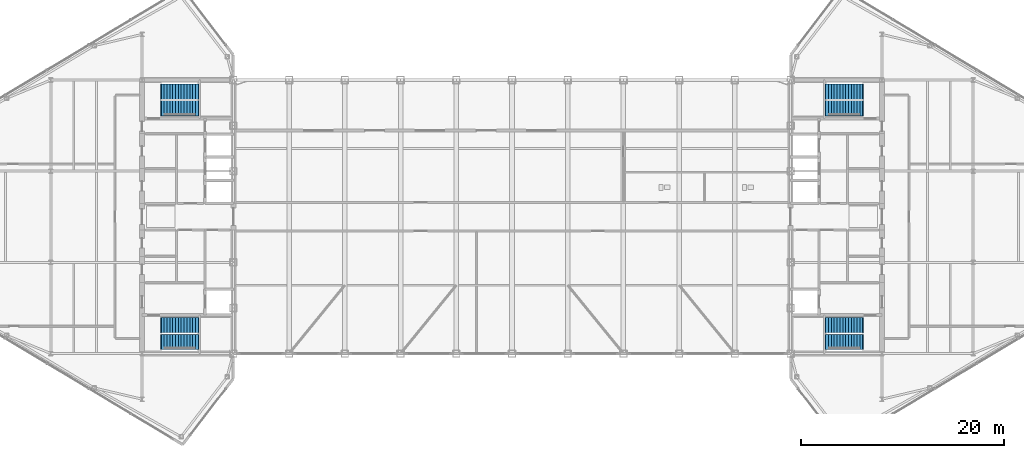
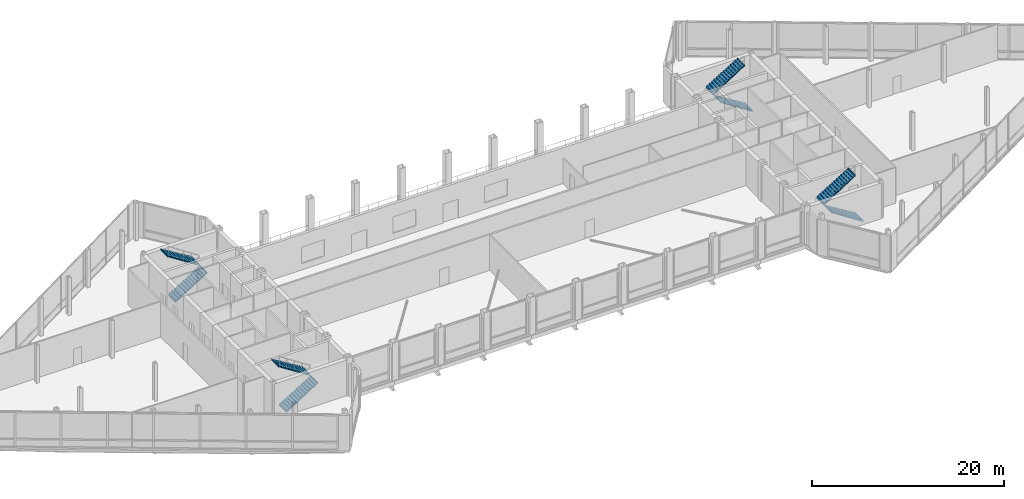
# One storey, part 26 of 28: 8 stair flights, 4 elements without a shape of their own.
"""IFC4 building model written with IfcOpenShell, lengths in metres."""

from ifc_helpers import new_model, si_unit, direction, frame, origin, place, context, subcontext, project, spatial, polyline, outline, extrude, material, type_object, element, aggregate, save


model = new_model("IFC4")

# Units and contexts
model_context = context("Model", 3, precision=1e-05, world=origin(), true_north=direction((0.0, 1.0)))
body_context = subcontext(model_context, "Body", "Model", "MODEL_VIEW")
ifc_project = project(units=[si_unit("LENGTHUNIT", "METRE"), si_unit("AREAUNIT", "SQUARE_METRE"), si_unit("VOLUMEUNIT", "CUBIC_METRE"), si_unit("PLANEANGLEUNIT", "RADIAN"), si_unit("MASSUNIT", "GRAM", prefix="KILO")], contexts=[model_context])

# Site, building, storey
site_placement = place(None, origin())
site = spatial("IfcSite", under=ifc_project, at=site_placement, CompositionType="ELEMENT")
building_placement = place(site_placement, origin())
building = spatial("IfcBuilding", under=site, at=building_placement, Name="Seokmaru Belvedere", CompositionType="ELEMENT")
storey_placement = place(building_placement, frame((0.0, 0.0, 274.199951171875)))
storey = spatial("IfcBuildingStorey", under=building, at=storey_placement, Name="L72", CompositionType="ELEMENT", Elevation=274.199951171875)

# Stair, stair flights
ifc_material = material(Name="Concrete C40 (40 MPa)", Category="concrete")
stair_type = type_object("IfcStairType", Name="Basement Core Dog-Leg Stair 4800", PredefinedType="TWO_STRAIGHT_RUN_STAIR", material=ifc_material)
stair_1_placement = place(storey_placement, origin())
stair_1 = element("IfcStair", 1, at=stair_1_placement, inside=storey, type_object=stair_type, Name="L72 Special Escape Stair ST-W1", PredefinedType="TWO_STRAIGHT_RUN_STAIR")
stair_flight_type = type_object("IfcStairFlightType", Name="Reinforced Concrete Stair Flight 1500", PredefinedType="STRAIGHT", material=ifc_material)
stair_flight_1_placement = place(storey_placement, frame((-34.60009765625, -12.35009765625, 0.0), z_axis=(0.0, 0.0, 1.0), x_axis=(1.0, 0.0, 0.0)))
stair_flight_1 = element("IfcStairFlight", 2, at=stair_flight_1_placement, type_object=stair_flight_type, Name="ST-W1 flight 1", NumberOfRisers=14, NumberOfTreads=13, PredefinedType="STRAIGHT", RiserHeight=0.171428571, TreadLength=0.28, context=body_context, shape_type="SweptSolid", body=[
    extrude(outline(polyline([(-0.080078125, 0.0), (0.0, 0.17138671875), (0.280029296875, 0.17138671875), (0.280029296875, 0.3427734375), (0.56005859375, 0.3427734375), (0.56005859375, 0.514404296875), (0.840087890625, 0.514404296875), (0.840087890625, 0.685791015625), (1.1201171875, 0.685791015625), (1.1201171875, 0.857177734375), (1.39990234375, 0.857177734375), (1.39990234375, 1.028564453125), (1.679931640625, 1.028564453125), (1.679931640625, 1.199951171875), (1.9599609375, 1.199951171875), (1.9599609375, 1.371337890625), (2.239990234375, 1.371337890625), (2.239990234375, 1.54296875), (2.52001953125, 1.54296875), (2.52001953125, 1.71435546875), (2.800048828125, 1.71435546875), (2.800048828125, 1.8857421875), (3.080078125, 1.8857421875), (3.080078125, 2.05712890625), (3.360107421875, 2.05712890625), (3.360107421875, 2.228515625), (3.639892578125, 2.228515625), (3.639892578125, 2.39990234375), (3.719970703125, 2.39990234375), (3.719970703125, 2.2099609375), (3.639892578125, 2.2099609375), (0.0, -0.159912109375), (-0.080078125, -0.159912109375), (-0.080078125, 0.0)])), frame((0.0, 0.75, 0.0), z_axis=(0.0, -1.0, 0.0), x_axis=(1.0, 0.0, 0.0)), (0.0, 0.0, 1.0), 1.5),
])
stair_flight_2_placement = place(storey_placement, frame((-30.9599609375, -10.7099609375, 2.400146484375), z_axis=(0.0, 0.0, 1.0), x_axis=(-1.0, 0.0, 0.0)))
stair_flight_2 = element("IfcStairFlight", 3, at=stair_flight_2_placement, type_object=stair_flight_type, Name="ST-W1 flight 2", NumberOfRisers=14, NumberOfTreads=13, PredefinedType="STRAIGHT", RiserHeight=0.171428571, TreadLength=0.28, context=body_context, shape_type="SweptSolid", body=[
    extrude(outline(polyline([(-0.080078125, 0.0), (0.0, 0.17138671875), (0.280029296875, 0.17138671875), (0.280029296875, 0.3427734375), (0.56005859375, 0.3427734375), (0.56005859375, 0.514404296875), (0.840087890625, 0.514404296875), (0.840087890625, 0.685791015625), (1.1201171875, 0.685791015625), (1.1201171875, 0.857177734375), (1.39990234375, 0.857177734375), (1.39990234375, 1.028564453125), (1.679931640625, 1.028564453125), (1.679931640625, 1.199951171875), (1.9599609375, 1.199951171875), (1.9599609375, 1.371337890625), (2.239990234375, 1.371337890625), (2.239990234375, 1.54296875), (2.52001953125, 1.54296875), (2.52001953125, 1.71435546875), (2.800048828125, 1.71435546875), (2.800048828125, 1.8857421875), (3.080078125, 1.8857421875), (3.080078125, 2.05712890625), (3.360107421875, 2.05712890625), (3.360107421875, 2.228515625), (3.639892578125, 2.228515625), (3.639892578125, 2.39990234375), (3.719970703125, 2.39990234375), (3.719970703125, 2.2099609375), (3.639892578125, 2.2099609375), (0.0, -0.159912109375), (-0.080078125, -0.159912109375), (-0.080078125, 0.0)])), frame((0.0, 0.75, 0.0), z_axis=(0.0, -1.0, 0.0), x_axis=(1.0, 0.0, 0.0)), (0.0, 0.0, 1.0), 1.5),
])
aggregate(stair_1, [stair_flight_1, stair_flight_2])

stair_2_placement = place(storey_placement, origin())
stair_2 = element("IfcStair", 4, at=stair_2_placement, inside=storey, type_object=stair_type, Name="L72 Special Escape Stair ST-W2", PredefinedType="TWO_STRAIGHT_RUN_STAIR")
stair_flight_3_placement = place(storey_placement, frame((-34.60009765625, 10.7099609375, 0.0), z_axis=(0.0, 0.0, 1.0), x_axis=(1.0, 0.0, 0.0)))
stair_flight_3 = element("IfcStairFlight", 5, at=stair_flight_3_placement, type_object=stair_flight_type, Name="ST-W2 flight 1", NumberOfRisers=14, NumberOfTreads=13, PredefinedType="STRAIGHT", RiserHeight=0.171428571, TreadLength=0.28, context=body_context, shape_type="SweptSolid", body=[
    extrude(outline(polyline([(-0.080078125, 0.0), (0.0, 0.17138671875), (0.280029296875, 0.17138671875), (0.280029296875, 0.3427734375), (0.56005859375, 0.3427734375), (0.56005859375, 0.514404296875), (0.840087890625, 0.514404296875), (0.840087890625, 0.685791015625), (1.1201171875, 0.685791015625), (1.1201171875, 0.857177734375), (1.39990234375, 0.857177734375), (1.39990234375, 1.028564453125), (1.679931640625, 1.028564453125), (1.679931640625, 1.199951171875), (1.9599609375, 1.199951171875), (1.9599609375, 1.371337890625), (2.239990234375, 1.371337890625), (2.239990234375, 1.54296875), (2.52001953125, 1.54296875), (2.52001953125, 1.71435546875), (2.800048828125, 1.71435546875), (2.800048828125, 1.8857421875), (3.080078125, 1.8857421875), (3.080078125, 2.05712890625), (3.360107421875, 2.05712890625), (3.360107421875, 2.228515625), (3.639892578125, 2.228515625), (3.639892578125, 2.39990234375), (3.719970703125, 2.39990234375), (3.719970703125, 2.2099609375), (3.639892578125, 2.2099609375), (0.0, -0.159912109375), (-0.080078125, -0.159912109375), (-0.080078125, 0.0)])), frame((0.0, 0.75, 0.0), z_axis=(0.0, -1.0, 0.0), x_axis=(1.0, 0.0, 0.0)), (0.0, 0.0, 1.0), 1.5),
])
stair_flight_4_placement = place(storey_placement, frame((-30.9599609375, 12.35009765625, 2.400146484375), z_axis=(0.0, 0.0, 1.0), x_axis=(-1.0, 0.0, 0.0)))
stair_flight_4 = element("IfcStairFlight", 6, at=stair_flight_4_placement, type_object=stair_flight_type, Name="ST-W2 flight 2", NumberOfRisers=14, NumberOfTreads=13, PredefinedType="STRAIGHT", RiserHeight=0.171428571, TreadLength=0.28, context=body_context, shape_type="SweptSolid", body=[
    extrude(outline(polyline([(-0.080078125, 0.0), (0.0, 0.17138671875), (0.280029296875, 0.17138671875), (0.280029296875, 0.3427734375), (0.56005859375, 0.3427734375), (0.56005859375, 0.514404296875), (0.840087890625, 0.514404296875), (0.840087890625, 0.685791015625), (1.1201171875, 0.685791015625), (1.1201171875, 0.857177734375), (1.39990234375, 0.857177734375), (1.39990234375, 1.028564453125), (1.679931640625, 1.028564453125), (1.679931640625, 1.199951171875), (1.9599609375, 1.199951171875), (1.9599609375, 1.371337890625), (2.239990234375, 1.371337890625), (2.239990234375, 1.54296875), (2.52001953125, 1.54296875), (2.52001953125, 1.71435546875), (2.800048828125, 1.71435546875), (2.800048828125, 1.8857421875), (3.080078125, 1.8857421875), (3.080078125, 2.05712890625), (3.360107421875, 2.05712890625), (3.360107421875, 2.228515625), (3.639892578125, 2.228515625), (3.639892578125, 2.39990234375), (3.719970703125, 2.39990234375), (3.719970703125, 2.2099609375), (3.639892578125, 2.2099609375), (0.0, -0.159912109375), (-0.080078125, -0.159912109375), (-0.080078125, 0.0)])), frame((0.0, 0.75, 0.0), z_axis=(0.0, -1.0, 0.0), x_axis=(1.0, 0.0, 0.0)), (0.0, 0.0, 1.0), 1.5),
])
aggregate(stair_2, [stair_flight_3, stair_flight_4])

stair_3_placement = place(storey_placement, origin())
stair_3 = element("IfcStair", 7, at=stair_3_placement, inside=storey, type_object=stair_type, Name="L72 Special Escape Stair ST-E1", PredefinedType="TWO_STRAIGHT_RUN_STAIR")
stair_flight_5_placement = place(storey_placement, frame((34.60009765625, -12.35009765625, 0.0), z_axis=(0.0, 0.0, 1.0), x_axis=(-1.0, 0.0, 0.0)))
stair_flight_5 = element("IfcStairFlight", 8, at=stair_flight_5_placement, type_object=stair_flight_type, Name="ST-E1 flight 1", NumberOfRisers=14, NumberOfTreads=13, PredefinedType="STRAIGHT", RiserHeight=0.171428571, TreadLength=0.28, context=body_context, shape_type="SweptSolid", body=[
    extrude(outline(polyline([(-0.080078125, 0.0), (0.0, 0.17138671875), (0.280029296875, 0.17138671875), (0.280029296875, 0.3427734375), (0.56005859375, 0.3427734375), (0.56005859375, 0.514404296875), (0.840087890625, 0.514404296875), (0.840087890625, 0.685791015625), (1.1201171875, 0.685791015625), (1.1201171875, 0.857177734375), (1.39990234375, 0.857177734375), (1.39990234375, 1.028564453125), (1.679931640625, 1.028564453125), (1.679931640625, 1.199951171875), (1.9599609375, 1.199951171875), (1.9599609375, 1.371337890625), (2.239990234375, 1.371337890625), (2.239990234375, 1.54296875), (2.52001953125, 1.54296875), (2.52001953125, 1.71435546875), (2.800048828125, 1.71435546875), (2.800048828125, 1.8857421875), (3.080078125, 1.8857421875), (3.080078125, 2.05712890625), (3.360107421875, 2.05712890625), (3.360107421875, 2.228515625), (3.639892578125, 2.228515625), (3.639892578125, 2.39990234375), (3.719970703125, 2.39990234375), (3.719970703125, 2.2099609375), (3.639892578125, 2.2099609375), (0.0, -0.159912109375), (-0.080078125, -0.159912109375), (-0.080078125, 0.0)])), frame((0.0, 0.75, 0.0), z_axis=(0.0, -1.0, 0.0), x_axis=(1.0, 0.0, 0.0)), (0.0, 0.0, 1.0), 1.5),
])
stair_flight_6_placement = place(storey_placement, frame((30.9599609375, -10.7099609375, 2.400146484375), z_axis=(0.0, 0.0, 1.0), x_axis=(1.0, 0.0, 0.0)))
stair_flight_6 = element("IfcStairFlight", 9, at=stair_flight_6_placement, type_object=stair_flight_type, Name="ST-E1 flight 2", NumberOfRisers=14, NumberOfTreads=13, PredefinedType="STRAIGHT", RiserHeight=0.171428571, TreadLength=0.28, context=body_context, shape_type="SweptSolid", body=[
    extrude(outline(polyline([(-0.080078125, 0.0), (0.0, 0.17138671875), (0.280029296875, 0.17138671875), (0.280029296875, 0.3427734375), (0.56005859375, 0.3427734375), (0.56005859375, 0.514404296875), (0.840087890625, 0.514404296875), (0.840087890625, 0.685791015625), (1.1201171875, 0.685791015625), (1.1201171875, 0.857177734375), (1.39990234375, 0.857177734375), (1.39990234375, 1.028564453125), (1.679931640625, 1.028564453125), (1.679931640625, 1.199951171875), (1.9599609375, 1.199951171875), (1.9599609375, 1.371337890625), (2.239990234375, 1.371337890625), (2.239990234375, 1.54296875), (2.52001953125, 1.54296875), (2.52001953125, 1.71435546875), (2.800048828125, 1.71435546875), (2.800048828125, 1.8857421875), (3.080078125, 1.8857421875), (3.080078125, 2.05712890625), (3.360107421875, 2.05712890625), (3.360107421875, 2.228515625), (3.639892578125, 2.228515625), (3.639892578125, 2.39990234375), (3.719970703125, 2.39990234375), (3.719970703125, 2.2099609375), (3.639892578125, 2.2099609375), (0.0, -0.159912109375), (-0.080078125, -0.159912109375), (-0.080078125, 0.0)])), frame((0.0, 0.75, 0.0), z_axis=(0.0, -1.0, 0.0), x_axis=(1.0, 0.0, 0.0)), (0.0, 0.0, 1.0), 1.5),
])
aggregate(stair_3, [stair_flight_5, stair_flight_6])

stair_4_placement = place(storey_placement, origin())
stair_4 = element("IfcStair", 10, at=stair_4_placement, inside=storey, type_object=stair_type, Name="L72 Special Escape Stair ST-E2", PredefinedType="TWO_STRAIGHT_RUN_STAIR")
stair_flight_7_placement = place(storey_placement, frame((34.60009765625, 10.7099609375, 0.0), z_axis=(0.0, 0.0, 1.0), x_axis=(-1.0, 0.0, 0.0)))
stair_flight_7 = element("IfcStairFlight", 11, at=stair_flight_7_placement, type_object=stair_flight_type, Name="ST-E2 flight 1", NumberOfRisers=14, NumberOfTreads=13, PredefinedType="STRAIGHT", RiserHeight=0.171428571, TreadLength=0.28, context=body_context, shape_type="SweptSolid", body=[
    extrude(outline(polyline([(-0.080078125, 0.0), (0.0, 0.17138671875), (0.280029296875, 0.17138671875), (0.280029296875, 0.3427734375), (0.56005859375, 0.3427734375), (0.56005859375, 0.514404296875), (0.840087890625, 0.514404296875), (0.840087890625, 0.685791015625), (1.1201171875, 0.685791015625), (1.1201171875, 0.857177734375), (1.39990234375, 0.857177734375), (1.39990234375, 1.028564453125), (1.679931640625, 1.028564453125), (1.679931640625, 1.199951171875), (1.9599609375, 1.199951171875), (1.9599609375, 1.371337890625), (2.239990234375, 1.371337890625), (2.239990234375, 1.54296875), (2.52001953125, 1.54296875), (2.52001953125, 1.71435546875), (2.800048828125, 1.71435546875), (2.800048828125, 1.8857421875), (3.080078125, 1.8857421875), (3.080078125, 2.05712890625), (3.360107421875, 2.05712890625), (3.360107421875, 2.228515625), (3.639892578125, 2.228515625), (3.639892578125, 2.39990234375), (3.719970703125, 2.39990234375), (3.719970703125, 2.2099609375), (3.639892578125, 2.2099609375), (0.0, -0.159912109375), (-0.080078125, -0.159912109375), (-0.080078125, 0.0)])), frame((0.0, 0.75, 0.0), z_axis=(0.0, -1.0, 0.0), x_axis=(1.0, 0.0, 0.0)), (0.0, 0.0, 1.0), 1.5),
])
stair_flight_8_placement = place(storey_placement, frame((30.9599609375, 12.35009765625, 2.400146484375), z_axis=(0.0, 0.0, 1.0), x_axis=(1.0, 0.0, 0.0)))
stair_flight_8 = element("IfcStairFlight", 12, at=stair_flight_8_placement, type_object=stair_flight_type, Name="ST-E2 flight 2", NumberOfRisers=14, NumberOfTreads=13, PredefinedType="STRAIGHT", RiserHeight=0.171428571, TreadLength=0.28, context=body_context, shape_type="SweptSolid", body=[
    extrude(outline(polyline([(-0.080078125, 0.0), (0.0, 0.17138671875), (0.280029296875, 0.17138671875), (0.280029296875, 0.3427734375), (0.56005859375, 0.3427734375), (0.56005859375, 0.514404296875), (0.840087890625, 0.514404296875), (0.840087890625, 0.685791015625), (1.1201171875, 0.685791015625), (1.1201171875, 0.857177734375), (1.39990234375, 0.857177734375), (1.39990234375, 1.028564453125), (1.679931640625, 1.028564453125), (1.679931640625, 1.199951171875), (1.9599609375, 1.199951171875), (1.9599609375, 1.371337890625), (2.239990234375, 1.371337890625), (2.239990234375, 1.54296875), (2.52001953125, 1.54296875), (2.52001953125, 1.71435546875), (2.800048828125, 1.71435546875), (2.800048828125, 1.8857421875), (3.080078125, 1.8857421875), (3.080078125, 2.05712890625), (3.360107421875, 2.05712890625), (3.360107421875, 2.228515625), (3.639892578125, 2.228515625), (3.639892578125, 2.39990234375), (3.719970703125, 2.39990234375), (3.719970703125, 2.2099609375), (3.639892578125, 2.2099609375), (0.0, -0.159912109375), (-0.080078125, -0.159912109375), (-0.080078125, 0.0)])), frame((0.0, 0.75, 0.0), z_axis=(0.0, -1.0, 0.0), x_axis=(1.0, 0.0, 0.0)), (0.0, 0.0, 1.0), 1.5),
])
aggregate(stair_4, [stair_flight_7, stair_flight_8])

save(model, "model.ifc")
